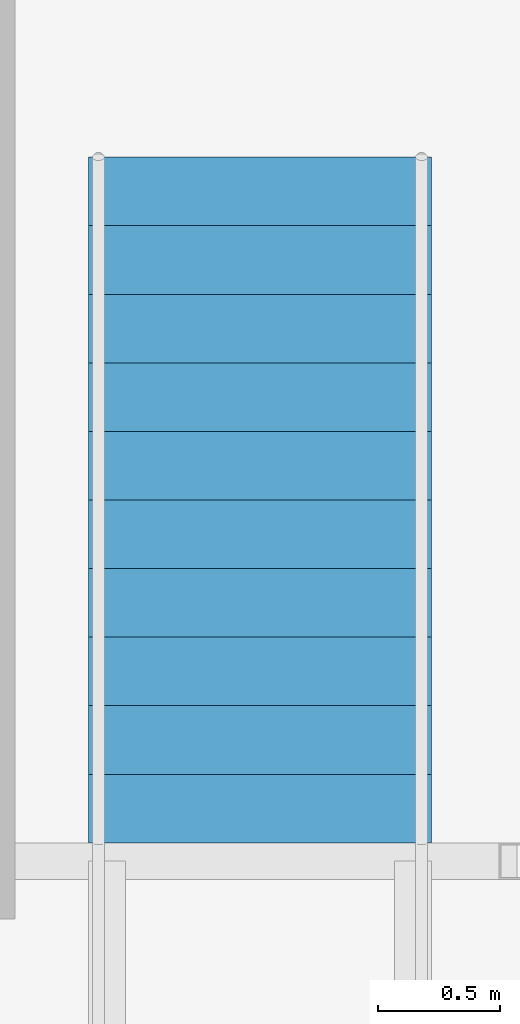
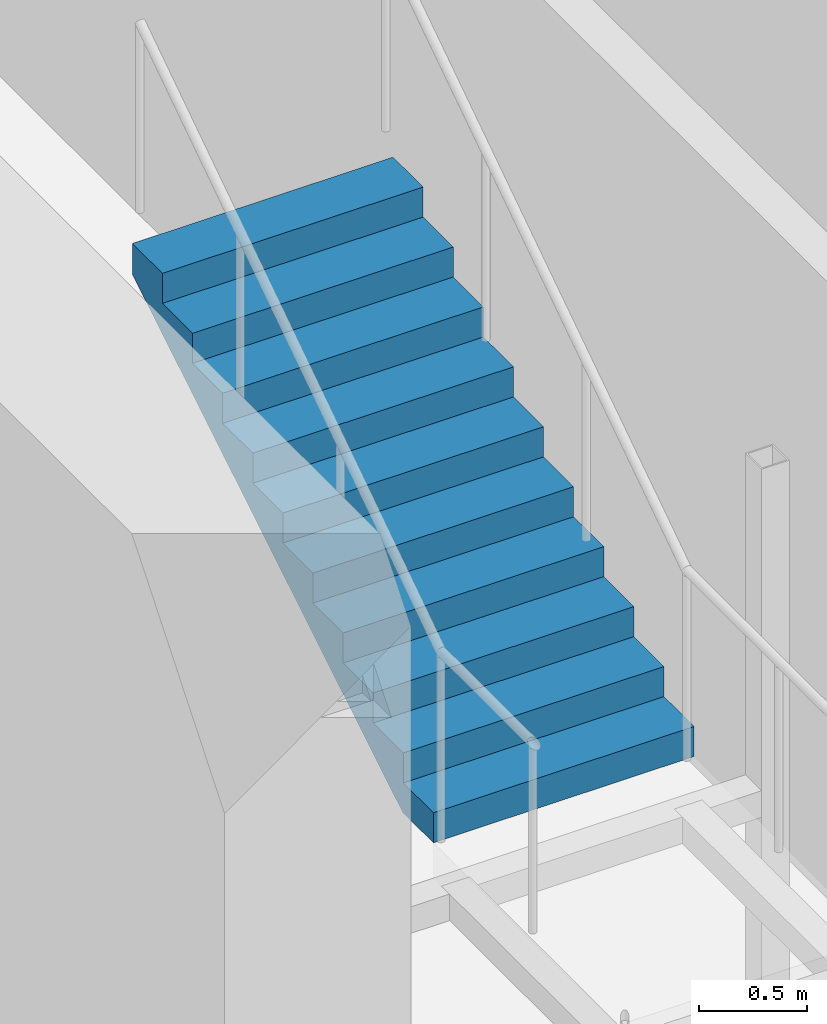
# One storey, part 25 of 28: 1 stair flight, 1 element without a shape of its own.
"""IFC4 building model written with IfcOpenShell, lengths in metres."""

from ifc_helpers import new_model, si_unit, direction, frame, origin, place, context, subcontext, project, spatial, triangles, material, type_object, element, aggregate, save


model = new_model("IFC4")

# Units and contexts
model_context = context("Model", 3, precision=1e-05, world=origin(), true_north=direction((0.0, 1.0)))
body_context = subcontext(model_context, "Body", "Model", "MODEL_VIEW")
ifc_project = project(units=[si_unit("LENGTHUNIT", "METRE"), si_unit("AREAUNIT", "SQUARE_METRE"), si_unit("VOLUMEUNIT", "CUBIC_METRE"), si_unit("PLANEANGLEUNIT", "RADIAN"), si_unit("MASSUNIT", "GRAM", prefix="KILO")], contexts=[model_context])

# Site, building, storey
site_placement = place(None, origin())
site = spatial("IfcSite", under=ifc_project, at=site_placement, CompositionType="ELEMENT")
building_placement = place(site_placement, origin())
building = spatial("IfcBuilding", under=site, at=building_placement, Name="Orbita Commons", CompositionType="ELEMENT")
storey_placement = place(building_placement, frame((0.0, 0.0, 193.60009765625)))
storey = spatial("IfcBuildingStorey", under=building, at=storey_placement, Name="L48", CompositionType="ELEMENT", Elevation=193.60009765625)

# Stair, stair flight
ifc_material_1 = material(Name="Steel ASTM A992 stringers, precast concrete C40/50 terrazzo treads", Category="concrete")
stair_type = type_object("IfcStairType", Name="Feature stair 22 risers 170 x 280 x 1400", PredefinedType="STRAIGHT_RUN_STAIR", material=ifc_material_1)
stair_placement = place(storey_placement, origin())
stair = element("IfcStair", 1, at=stair_placement, inside=storey, type_object=stair_type, Name="Neighbourhood stair L48 to L49", PredefinedType="STRAIGHT_RUN_STAIR")
ifc_material_2 = material(Name="Steel ASTM A992 stringers, precast concrete C40/50 terrazzo treads", Category="concrete")
stair_flight_type = type_object("IfcStairFlightType", Name="Feature stair flight 11 risers 170 x 1400", PredefinedType="STRAIGHT", material=ifc_material_2)
stair_flight_placement = place(storey_placement, frame((13.5, 36.010009765625, 1.875), z_axis=(0.0, 0.0, 1.0), x_axis=(0.0, 1.0, 0.0)))
stair_flight = element("IfcStairFlight", 2, at=stair_flight_placement, type_object=stair_flight_type, Name="FS flight 2", NumberOfRisers=11, NumberOfTreads=10, PredefinedType="STRAIGHT", RiserHeight=0.170454545, TreadLength=0.28, context=body_context, shape_type="Tessellation", body=[
    triangles([(0.0, 0.699951, 0.0), (0.0, 0.699951, 0.021307), (0.0, 0.583293, 0.021307), (0.0, 0.583293, 0.0), (0.0, 0.466634, 0.021307), (0.0, 0.466634, 0.0), (0.0, 0.349976, 0.021307), (0.0, 0.349976, 0.0), (0.0, 0.233317, 0.021307), (0.0, 0.233317, 0.0), (0.0, 0.116659, 0.021307), (0.0, 0.116659, 0.0), (0.0, 0.0, 0.021307), (0.0, 0.0, 0.0), (0.0, -0.116659, 0.021307), (0.0, -0.116659, 0.0), (0.0, -0.233317, 0.021307), (0.0, -0.233317, 0.0), (0.0, -0.349976, 0.021307), (0.0, -0.349976, 0.0), (0.0, -0.466634, 0.021307), (0.0, -0.466634, 0.0), (0.0, -0.583293, 0.021307), (0.0, -0.583293, 0.0), (0.0, -0.699951, 0.021307), (0.0, -0.699951, 0.0), (0.0, 0.699951, 0.042614), (0.0, 0.583293, 0.042614), (0.0, 0.466634, 0.042614), (0.0, 0.349976, 0.042614), (0.0, 0.233317, 0.042614), (0.0, 0.116659, 0.042614), (0.0, 0.0, 0.042614), (0.0, -0.116659, 0.042614), (0.0, -0.233317, 0.042614), (0.0, -0.349976, 0.042614), (0.0, -0.466634, 0.042614), (0.0, -0.583293, 0.042614), (0.0, -0.699951, 0.042614), (0.0, 0.699951, 0.06392), (0.0, 0.583293, 0.06392), (0.0, 0.466634, 0.06392), (0.0, 0.349976, 0.06392), (0.0, 0.233317, 0.06392), (0.0, 0.116659, 0.06392), (0.0, 0.0, 0.06392), (0.0, -0.116659, 0.06392), (0.0, -0.233317, 0.06392), (0.0, -0.349976, 0.06392), (0.0, -0.466634, 0.06392), (0.0, -0.583293, 0.06392), (0.0, -0.699951, 0.06392), (0.0, 0.699951, 0.085227), (0.0, 0.583293, 0.085227), (0.0, 0.466634, 0.085227), (0.0, 0.349976, 0.085227), (0.0, 0.233317, 0.085227), (0.0, 0.116659, 0.085227), (0.0, 0.0, 0.085227), (0.0, -0.116659, 0.085227), (0.0, -0.233317, 0.085227), (0.0, -0.349976, 0.085227), (0.0, -0.466634, 0.085227), (0.0, -0.583293, 0.085227), (0.0, -0.699951, 0.085227), (0.0, 0.699951, 0.106534), (0.0, 0.583293, 0.106534), (0.0, 0.466634, 0.106534), (0.0, 0.349976, 0.106534), (0.0, 0.233317, 0.106534), (0.0, 0.116659, 0.106534), (0.0, 0.0, 0.106534), (0.0, -0.116659, 0.106534), (0.0, -0.233317, 0.106534), (0.0, -0.349976, 0.106534), (0.0, -0.466634, 0.106534), (0.0, -0.583293, 0.106534), (0.0, -0.699951, 0.106534), (0.0, 0.699951, 0.127841), (0.0, 0.583293, 0.127841), (0.0, 0.466634, 0.127841), (0.0, 0.349976, 0.127841), (0.0, 0.233317, 0.127841), (0.0, 0.116659, 0.127841), (0.0, 0.0, 0.127841), (0.0, -0.116659, 0.127841), (0.0, -0.233317, 0.127841), (0.0, -0.349976, 0.127841), (0.0, -0.466634, 0.127841), (0.0, -0.583293, 0.127841), (0.0, -0.699951, 0.127841), (0.0, 0.699951, 0.149148), (0.0, 0.583293, 0.149148), (0.0, 0.466634, 0.149148), (0.0, 0.349976, 0.149148), (0.0, 0.233317, 0.149148), (0.0, 0.116659, 0.149148), (0.0, 0.0, 0.149148), (0.0, -0.116659, 0.149148), (0.0, -0.233317, 0.149148), (0.0, -0.349976, 0.149148), (0.0, -0.466634, 0.149148), (0.0, -0.583293, 0.149148), (0.0, -0.699951, 0.149148), (0.0, 0.699951, 0.170455), (0.0, 0.583293, 0.170455), (0.0, 0.466634, 0.170455), (0.0, 0.349976, 0.170455), (0.0, 0.233317, 0.170455), (0.0, 0.116659, 0.170455), (0.0, 0.0, 0.170455), (0.0, -0.116659, 0.170455), (0.0, -0.233317, 0.170455), (0.0, -0.349976, 0.170455), (0.0, -0.466634, 0.170455), (0.0, -0.583293, 0.170455), (0.0, -0.699951, 0.170455), (0.28, 0.699951, 0.170455), (0.28, 0.583293, 0.170455), (0.28, 0.466634, 0.170455), (0.28, 0.349976, 0.170455), (0.28, 0.233317, 0.170455), (0.28, 0.116659, 0.170455), (0.28, 0.0, 0.170455), (0.28, -0.116659, 0.170455), (0.28, -0.233317, 0.170455), (0.28, -0.349976, 0.170455), (0.28, -0.466634, 0.170455), (0.28, -0.583293, 0.170455), (0.28, -0.699951, 0.170455), (0.28, 0.699951, 0.340909), (0.28, 0.583293, 0.340909), (0.28, 0.466634, 0.340909), (0.28, 0.349976, 0.340909), (0.28, 0.233317, 0.340909), (0.28, 0.116659, 0.340909), (0.28, 0.0, 0.340909), (0.28, -0.116659, 0.340909), (0.28, -0.233317, 0.340909), (0.28, -0.349976, 0.340909), (0.28, -0.466634, 0.340909), (0.28, -0.583293, 0.340909), (0.28, -0.699951, 0.340909), (0.56, 0.699951, 0.340909), (0.56, 0.583293, 0.340909), (0.56, 0.466634, 0.340909), (0.56, 0.349976, 0.340909), (0.56, 0.233317, 0.340909), (0.56, 0.116659, 0.340909), (0.56, 0.0, 0.340909), (0.56, -0.116659, 0.340909), (0.56, -0.233317, 0.340909), (0.56, -0.349976, 0.340909), (0.56, -0.466634, 0.340909), (0.56, -0.583293, 0.340909), (0.56, -0.699951, 0.340909), (0.56, 0.699951, 0.511364), (0.56, 0.583293, 0.511364), (0.56, 0.466634, 0.511364), (0.56, 0.349976, 0.511364), (0.56, 0.233317, 0.511364), (0.56, 0.116659, 0.511364), (0.56, 0.0, 0.511364), (0.56, -0.116659, 0.511364), (0.56, -0.233317, 0.511364), (0.56, -0.349976, 0.511364), (0.56, -0.466634, 0.511364), (0.56, -0.583293, 0.511364), (0.56, -0.699951, 0.511364), (0.84, 0.699951, 0.511364), (0.84, 0.583293, 0.511364), (0.84, 0.466634, 0.511364), (0.84, 0.349976, 0.511364), (0.84, 0.233317, 0.511364), (0.84, 0.116659, 0.511364), (0.84, 0.0, 0.511364), (0.84, -0.116659, 0.511364), (0.84, -0.233317, 0.511364), (0.84, -0.349976, 0.511364), (0.84, -0.466634, 0.511364), (0.84, -0.583293, 0.511364), (0.84, -0.699951, 0.511364), (0.84, 0.699951, 0.681818), (0.84, 0.583293, 0.681818), (0.84, 0.466634, 0.681818), (0.84, 0.349976, 0.681818), (0.84, 0.233317, 0.681818), (0.84, 0.116659, 0.681818), (0.84, 0.0, 0.681818), (0.84, -0.116659, 0.681818), (0.84, -0.233317, 0.681818), (0.84, -0.349976, 0.681818), (0.84, -0.466634, 0.681818), (0.84, -0.583293, 0.681818), (0.84, -0.699951, 0.681818), (1.12, 0.699951, 0.681818), (1.12, 0.583293, 0.681818), (1.12, 0.466634, 0.681818), (1.12, 0.349976, 0.681818), (1.12, 0.233317, 0.681818), (1.12, 0.116659, 0.681818), (1.12, 0.0, 0.681818), (1.12, -0.116659, 0.681818), (1.12, -0.233317, 0.681818), (1.12, -0.349976, 0.681818), (1.12, -0.466634, 0.681818), (1.12, -0.583293, 0.681818), (1.12, -0.699951, 0.681818), (1.12, 0.699951, 0.852273), (1.12, 0.583293, 0.852273), (1.12, 0.466634, 0.852273), (1.12, 0.349976, 0.852273), (1.12, 0.233317, 0.852273), (1.12, 0.116659, 0.852273), (1.12, 0.0, 0.852273), (1.12, -0.116659, 0.852273), (1.12, -0.233317, 0.852273), (1.12, -0.349976, 0.852273), (1.12, -0.466634, 0.852273), (1.12, -0.583293, 0.852273), (1.12, -0.699951, 0.852273), (1.4, 0.699951, 0.852273), (1.4, 0.583293, 0.852273), (1.4, 0.466634, 0.852273), (1.4, 0.349976, 0.852273), (1.4, 0.233317, 0.852273), (1.4, 0.116659, 0.852273), (1.4, 0.0, 0.852273), (1.4, -0.116659, 0.852273), (1.4, -0.233317, 0.852273), (1.4, -0.349976, 0.852273), (1.4, -0.466634, 0.852273), (1.4, -0.583293, 0.852273), (1.4, -0.699951, 0.852273), (1.4, 0.699951, 1.022727), (1.4, 0.583293, 1.022727), (1.4, 0.466634, 1.022727), (1.4, 0.349976, 1.022727), (1.4, 0.233317, 1.022727), (1.4, 0.116659, 1.022727), (1.4, 0.0, 1.022727), (1.4, -0.116659, 1.022727), (1.4, -0.233317, 1.022727), (1.4, -0.349976, 1.022727), (1.4, -0.466634, 1.022727), (1.4, -0.583293, 1.022727), (1.4, -0.699951, 1.022727), (1.68, 0.699951, 1.022727), (1.68, 0.583293, 1.022727), (1.68, 0.466634, 1.022727), (1.68, 0.349976, 1.022727), (1.68, 0.233317, 1.022727), (1.68, 0.116659, 1.022727), (1.68, 0.0, 1.022727), (1.68, -0.116659, 1.022727), (1.68, -0.233317, 1.022727), (1.68, -0.349976, 1.022727), (1.68, -0.466634, 1.022727), (1.68, -0.583293, 1.022727), (1.68, -0.699951, 1.022727), (1.68, 0.699951, 1.193182), (1.68, 0.583293, 1.193182), (1.68, 0.466634, 1.193182), (1.68, 0.349976, 1.193182), (1.68, 0.233317, 1.193182), (1.68, 0.116659, 1.193182), (1.68, 0.0, 1.193182), (1.68, -0.116659, 1.193182), (1.68, -0.233317, 1.193182), (1.68, -0.349976, 1.193182), (1.68, -0.466634, 1.193182), (1.68, -0.583293, 1.193182), (1.68, -0.699951, 1.193182), (1.96, 0.699951, 1.193182), (1.96, 0.583293, 1.193182), (1.96, 0.466634, 1.193182), (1.96, 0.349976, 1.193182), (1.96, 0.233317, 1.193182), (1.96, 0.116659, 1.193182), (1.96, 0.0, 1.193182), (1.96, -0.116659, 1.193182), (1.96, -0.233317, 1.193182), (1.96, -0.349976, 1.193182), (1.96, -0.466634, 1.193182), (1.96, -0.583293, 1.193182), (1.96, -0.699951, 1.193182), (1.96, 0.699951, 1.363636), (1.96, 0.583293, 1.363636), (1.96, 0.466634, 1.363636), (1.96, 0.349976, 1.363636), (1.96, 0.233317, 1.363636), (1.96, 0.116659, 1.363636), (1.96, 0.0, 1.363636), (1.96, -0.116659, 1.363636), (1.96, -0.233317, 1.363636), (1.96, -0.349976, 1.363636), (1.96, -0.466634, 1.363636), (1.96, -0.583293, 1.363636), (1.96, -0.699951, 1.363636), (2.24, 0.699951, 1.363636), (2.24, 0.583293, 1.363636), (2.24, 0.466634, 1.363636), (2.24, 0.349976, 1.363636), (2.24, 0.233317, 1.363636), (2.24, 0.116659, 1.363636), (2.24, 0.0, 1.363636), (2.24, -0.116659, 1.363636), (2.24, -0.233317, 1.363636), (2.24, -0.349976, 1.363636), (2.24, -0.466634, 1.363636), (2.24, -0.583293, 1.363636), (2.24, -0.699951, 1.363636), (2.24, 0.699951, 1.534091), (2.24, 0.583293, 1.534091), (2.24, 0.466634, 1.534091), (2.24, 0.349976, 1.534091), (2.24, 0.233317, 1.534091), (2.24, 0.116659, 1.534091), (2.24, 0.0, 1.534091), (2.24, -0.116659, 1.534091), (2.24, -0.233317, 1.534091), (2.24, -0.349976, 1.534091), (2.24, -0.466634, 1.534091), (2.24, -0.583293, 1.534091), (2.24, -0.699951, 1.534091), (2.52, 0.699951, 1.534091), (2.52, 0.583293, 1.534091), (2.52, 0.466634, 1.534091), (2.52, 0.349976, 1.534091), (2.52, 0.233317, 1.534091), (2.52, 0.116659, 1.534091), (2.52, 0.0, 1.534091), (2.52, -0.116659, 1.534091), (2.52, -0.233317, 1.534091), (2.52, -0.349976, 1.534091), (2.52, -0.466634, 1.534091), (2.52, -0.583293, 1.534091), (2.52, -0.699951, 1.534091), (2.52, 0.699951, 1.704545), (2.52, 0.583293, 1.704545), (2.52, 0.466634, 1.704545), (2.52, 0.349976, 1.704545), (2.52, 0.233317, 1.704545), (2.52, 0.116659, 1.704545), (2.52, 0.0, 1.704545), (2.52, -0.116659, 1.704545), (2.52, -0.233317, 1.704545), (2.52, -0.349976, 1.704545), (2.52, -0.466634, 1.704545), (2.52, -0.583293, 1.704545), (2.52, -0.699951, 1.704545), (2.8, 0.699951, 1.704545), (2.8, 0.583293, 1.704545), (2.8, 0.466634, 1.704545), (2.8, 0.349976, 1.704545), (2.8, 0.233317, 1.704545), (2.8, 0.116659, 1.704545), (2.8, 0.0, 1.704545), (2.8, -0.116659, 1.704545), (2.8, -0.233317, 1.704545), (2.8, -0.349976, 1.704545), (2.8, -0.466634, 1.704545), (2.8, -0.583293, 1.704545), (2.8, -0.699951, 1.704545), (2.8, 0.699951, 1.682609), (2.8, 0.583293, 1.682609), (2.8, 0.466634, 1.682609), (2.8, 0.349976, 1.682609), (2.8, 0.233317, 1.682609), (2.8, 0.116659, 1.682609), (2.8, 0.0, 1.682609), (2.8, -0.116659, 1.682609), (2.8, -0.233317, 1.682609), (2.8, -0.349976, 1.682609), (2.8, -0.466634, 1.682609), (2.8, -0.583293, 1.682609), (2.8, -0.699951, 1.682609), (2.8, 0.699951, 1.660672), (2.8, 0.583293, 1.660672), (2.8, 0.466634, 1.660672), (2.8, 0.349976, 1.660672), (2.8, 0.233317, 1.660672), (2.8, 0.116659, 1.660672), (2.8, 0.0, 1.660672), (2.8, -0.116659, 1.660672), (2.8, -0.233317, 1.660672), (2.8, -0.349976, 1.660672), (2.8, -0.466634, 1.660672), (2.8, -0.583293, 1.660672), (2.8, -0.699951, 1.660672), (2.8, 0.699951, 1.638735), (2.8, 0.583293, 1.638735), (2.8, 0.466634, 1.638735), (2.8, 0.349976, 1.638735), (2.8, 0.233317, 1.638735), (2.8, 0.116659, 1.638735), (2.8, 0.0, 1.638735), (2.8, -0.116659, 1.638735), (2.8, -0.233317, 1.638735), (2.8, -0.349976, 1.638735), (2.8, -0.466634, 1.638735), (2.8, -0.583293, 1.638735), (2.8, -0.699951, 1.638735), (2.8, 0.699951, 1.616798), (2.8, 0.583293, 1.616798), (2.8, 0.466634, 1.616798), (2.8, 0.349976, 1.616798), (2.8, 0.233317, 1.616798), (2.8, 0.116659, 1.616798), (2.8, 0.0, 1.616798), (2.8, -0.116659, 1.616798), (2.8, -0.233317, 1.616798), (2.8, -0.349976, 1.616798), (2.8, -0.466634, 1.616798), (2.8, -0.583293, 1.616798), (2.8, -0.699951, 1.616798), (2.8, 0.699951, 1.594861), (2.8, 0.583293, 1.594861), (2.8, 0.466634, 1.594861), (2.8, 0.349976, 1.594861), (2.8, 0.233317, 1.594861), (2.8, 0.116659, 1.594861), (2.8, 0.0, 1.594861), (2.8, -0.116659, 1.594861), (2.8, -0.233317, 1.594861), (2.8, -0.349976, 1.594861), (2.8, -0.466634, 1.594861), (2.8, -0.583293, 1.594861), (2.8, -0.699951, 1.594861), (2.8, 0.699951, 1.572925), (2.8, 0.583293, 1.572925), (2.8, 0.466634, 1.572925), (2.8, 0.349976, 1.572925), (2.8, 0.233317, 1.572925), (2.8, 0.116659, 1.572925), (2.8, 0.0, 1.572925), (2.8, -0.116659, 1.572925), (2.8, -0.233317, 1.572925), (2.8, -0.349976, 1.572925), (2.8, -0.466634, 1.572925), (2.8, -0.583293, 1.572925), (2.8, -0.699951, 1.572925), (2.8, 0.699951, 1.550988), (2.8, 0.583293, 1.550988), (2.8, 0.466634, 1.550988), (2.8, 0.349976, 1.550988), (2.8, 0.233317, 1.550988), (2.8, 0.116659, 1.550988), (2.8, 0.0, 1.550988), (2.8, -0.116659, 1.550988), (2.8, -0.233317, 1.550988), (2.8, -0.349976, 1.550988), (2.8, -0.466634, 1.550988), (2.8, -0.583293, 1.550988), (2.8, -0.699951, 1.550988), (2.8, 0.699951, 1.529051), (2.8, 0.583293, 1.529051), (2.8, 0.466634, 1.529051), (2.8, 0.349976, 1.529051), (2.8, 0.233317, 1.529051), (2.8, 0.116659, 1.529051), (2.8, 0.0, 1.529051), (2.8, -0.116659, 1.529051), (2.8, -0.233317, 1.529051), (2.8, -0.349976, 1.529051), (2.8, -0.466634, 1.529051), (2.8, -0.583293, 1.529051), (2.8, -0.699951, 1.529051), (0.288279, 0.699951, 0.0), (0.288279, 0.583293, 0.0), (0.288279, 0.466634, 0.0), (0.288279, 0.349976, 0.0), (0.288279, 0.233317, 0.0), (0.288279, 0.116659, 0.0), (0.288279, 0.0, 0.0), (0.288279, -0.116659, 0.0), (0.288279, -0.233317, 0.0), (0.288279, -0.349976, 0.0), (0.288279, -0.466634, 0.0), (0.288279, -0.583293, 0.0), (0.288279, -0.699951, 0.0)], [[3, 2, 1], [4, 3, 1], [5, 3, 4], [6, 5, 4], [7, 5, 6], [8, 7, 6], [9, 7, 8], [10, 9, 8], [11, 9, 10], [12, 11, 10], [13, 11, 12], [14, 13, 12], [15, 13, 14], [16, 15, 14], [17, 15, 16], [18, 17, 16], [19, 17, 18], [20, 19, 18], [21, 19, 20], [22, 21, 20], [23, 21, 22], [24, 23, 22], [25, 23, 24], [26, 25, 24], [28, 27, 2], [3, 28, 2], [29, 28, 3], [5, 29, 3], [30, 29, 5], [7, 30, 5], [31, 30, 7], [9, 31, 7], [32, 31, 9], [11, 32, 9], [33, 32, 11], [13, 33, 11], [34, 33, 13], [15, 34, 13], [35, 34, 15], [17, 35, 15], [36, 35, 17], [19, 36, 17], [37, 36, 19], [21, 37, 19], [38, 37, 21], [23, 38, 21], [39, 38, 23], [25, 39, 23], [41, 40, 27], [28, 41, 27], [42, 41, 28], [29, 42, 28], [43, 42, 29], [30, 43, 29], [44, 43, 30], [31, 44, 30], [45, 44, 31], [32, 45, 31], [46, 45, 32], [33, 46, 32], [47, 46, 33], [34, 47, 33], [48, 47, 34], [35, 48, 34], [49, 48, 35], [36, 49, 35], [50, 49, 36], [37, 50, 36], [51, 50, 37], [38, 51, 37], [52, 51, 38], [39, 52, 38], [54, 53, 40], [41, 54, 40], [55, 54, 41], [42, 55, 41], [56, 55, 42], [43, 56, 42], [57, 56, 43], [44, 57, 43], [58, 57, 44], [45, 58, 44], [59, 58, 45], [46, 59, 45], [60, 59, 46], [47, 60, 46], [61, 60, 47], [48, 61, 47], [62, 61, 48], [49, 62, 48], [63, 62, 49], [50, 63, 49], [64, 63, 50], [51, 64, 50], [65, 64, 51], [52, 65, 51], [67, 66, 53], [54, 67, 53], [68, 67, 54], [55, 68, 54], [69, 68, 55], [56, 69, 55], [70, 69, 56], [57, 70, 56], [71, 70, 57], [58, 71, 57], [72, 71, 58], [59, 72, 58], [73, 72, 59], [60, 73, 59], [74, 73, 60], [61, 74, 60], [75, 74, 61], [62, 75, 61], [76, 75, 62], [63, 76, 62], [77, 76, 63], [64, 77, 63], [78, 77, 64], [65, 78, 64], [80, 79, 66], [67, 80, 66], [81, 80, 67], [68, 81, 67], [82, 81, 68], [69, 82, 68], [83, 82, 69], [70, 83, 69], [84, 83, 70], [71, 84, 70], [85, 84, 71], [72, 85, 71], [86, 85, 72], [73, 86, 72], [87, 86, 73], [74, 87, 73], [88, 87, 74], [75, 88, 74], [89, 88, 75], [76, 89, 75], [90, 89, 76], [77, 90, 76], [91, 90, 77], [78, 91, 77], [93, 92, 79], [80, 93, 79], [94, 93, 80], [81, 94, 80], [95, 94, 81], [82, 95, 81], [96, 95, 82], [83, 96, 82], [97, 96, 83], [84, 97, 83], [98, 97, 84], [85, 98, 84], [99, 98, 85], [86, 99, 85], [100, 99, 86], [87, 100, 86], [101, 100, 87], [88, 101, 87], [102, 101, 88], [89, 102, 88], [103, 102, 89], [90, 103, 89], [104, 103, 90], [91, 104, 90], [106, 105, 92], [93, 106, 92], [107, 106, 93], [94, 107, 93], [108, 107, 94], [95, 108, 94], [109, 108, 95], [96, 109, 95], [110, 109, 96], [97, 110, 96], [111, 110, 97], [98, 111, 97], [112, 111, 98], [99, 112, 98], [113, 112, 99], [100, 113, 99], [114, 113, 100], [101, 114, 100], [115, 114, 101], [102, 115, 101], [116, 115, 102], [103, 116, 102], [117, 116, 103], [104, 117, 103], [119, 118, 105], [106, 119, 105], [120, 119, 106], [107, 120, 106], [121, 120, 107], [108, 121, 107], [122, 121, 108], [109, 122, 108], [123, 122, 109], [110, 123, 109], [124, 123, 110], [111, 124, 110], [125, 124, 111], [112, 125, 111], [126, 125, 112], [113, 126, 112], [127, 126, 113], [114, 127, 113], [128, 127, 114], [115, 128, 114], [129, 128, 115], [116, 129, 115], [130, 129, 116], [117, 130, 116], [132, 131, 118], [119, 132, 118], [133, 132, 119], [120, 133, 119], [134, 133, 120], [121, 134, 120], [135, 134, 121], [122, 135, 121], [136, 135, 122], [123, 136, 122], [137, 136, 123], [124, 137, 123], [138, 137, 124], [125, 138, 124], [139, 138, 125], [126, 139, 125], [140, 139, 126], [127, 140, 126], [141, 140, 127], [128, 141, 127], [142, 141, 128], [129, 142, 128], [143, 142, 129], [130, 143, 129], [145, 144, 131], [132, 145, 131], [146, 145, 132], [133, 146, 132], [147, 146, 133], [134, 147, 133], [148, 147, 134], [135, 148, 134], [149, 148, 135], [136, 149, 135], [150, 149, 136], [137, 150, 136], [151, 150, 137], [138, 151, 137], [152, 151, 138], [139, 152, 138], [153, 152, 139], [140, 153, 139], [154, 153, 140], [141, 154, 140], [155, 154, 141], [142, 155, 141], [156, 155, 142], [143, 156, 142], [158, 157, 144], [145, 158, 144], [159, 158, 145], [146, 159, 145], [160, 159, 146], [147, 160, 146], [161, 160, 147], [148, 161, 147], [162, 161, 148], [149, 162, 148], [163, 162, 149], [150, 163, 149], [164, 163, 150], [151, 164, 150], [165, 164, 151], [152, 165, 151], [166, 165, 152], [153, 166, 152], [167, 166, 153], [154, 167, 153], [168, 167, 154], [155, 168, 154], [169, 168, 155], [156, 169, 155], [171, 170, 157], [158, 171, 157], [172, 171, 158], [159, 172, 158], [173, 172, 159], [160, 173, 159], [174, 173, 160], [161, 174, 160], [175, 174, 161], [162, 175, 161], [176, 175, 162], [163, 176, 162], [177, 176, 163], [164, 177, 163], [178, 177, 164], [165, 178, 164], [179, 178, 165], [166, 179, 165], [180, 179, 166], [167, 180, 166], [181, 180, 167], [168, 181, 167], [182, 181, 168], [169, 182, 168], [184, 183, 170], [171, 184, 170], [185, 184, 171], [172, 185, 171], [186, 185, 172], [173, 186, 172], [187, 186, 173], [174, 187, 173], [188, 187, 174], [175, 188, 174], [189, 188, 175], [176, 189, 175], [190, 189, 176], [177, 190, 176], [191, 190, 177], [178, 191, 177], [192, 191, 178], [179, 192, 178], [193, 192, 179], [180, 193, 179], [194, 193, 180], [181, 194, 180], [195, 194, 181], [182, 195, 181], [197, 196, 183], [184, 197, 183], [198, 197, 184], [185, 198, 184], [199, 198, 185], [186, 199, 185], [200, 199, 186], [187, 200, 186], [201, 200, 187], [188, 201, 187], [202, 201, 188], [189, 202, 188], [203, 202, 189], [190, 203, 189], [204, 203, 190], [191, 204, 190], [205, 204, 191], [192, 205, 191], [206, 205, 192], [193, 206, 192], [207, 206, 193], [194, 207, 193], [208, 207, 194], [195, 208, 194], [210, 209, 196], [197, 210, 196], [211, 210, 197], [198, 211, 197], [212, 211, 198], [199, 212, 198], [213, 212, 199], [200, 213, 199], [214, 213, 200], [201, 214, 200], [215, 214, 201], [202, 215, 201], [216, 215, 202], [203, 216, 202], [217, 216, 203], [204, 217, 203], [218, 217, 204], [205, 218, 204], [219, 218, 205], [206, 219, 205], [220, 219, 206], [207, 220, 206], [221, 220, 207], [208, 221, 207], [223, 222, 209], [210, 223, 209], [224, 223, 210], [211, 224, 210], [225, 224, 211], [212, 225, 211], [226, 225, 212], [213, 226, 212], [227, 226, 213], [214, 227, 213], [228, 227, 214], [215, 228, 214], [229, 228, 215], [216, 229, 215], [230, 229, 216], [217, 230, 216], [231, 230, 217], [218, 231, 217], [232, 231, 218], [219, 232, 218], [233, 232, 219], [220, 233, 219], [234, 233, 220], [221, 234, 220], [236, 235, 222], [223, 236, 222], [237, 236, 223], [224, 237, 223], [238, 237, 224], [225, 238, 224], [239, 238, 225], [226, 239, 225], [240, 239, 226], [227, 240, 226], [241, 240, 227], [228, 241, 227], [242, 241, 228], [229, 242, 228], [243, 242, 229], [230, 243, 229], [244, 243, 230], [231, 244, 230], [245, 244, 231], [232, 245, 231], [246, 245, 232], [233, 246, 232], [247, 246, 233], [234, 247, 233], [249, 248, 235], [236, 249, 235], [250, 249, 236], [237, 250, 236], [251, 250, 237], [238, 251, 237], [252, 251, 238], [239, 252, 238], [253, 252, 239], [240, 253, 239], [254, 253, 240], [241, 254, 240], [255, 254, 241], [242, 255, 241], [256, 255, 242], [243, 256, 242], [257, 256, 243], [244, 257, 243], [258, 257, 244], [245, 258, 244], [259, 258, 245], [246, 259, 245], [260, 259, 246], [247, 260, 246], [262, 261, 248], [249, 262, 248], [263, 262, 249], [250, 263, 249], [264, 263, 250], [251, 264, 250], [265, 264, 251], [252, 265, 251], [266, 265, 252], [253, 266, 252], [267, 266, 253], [254, 267, 253], [268, 267, 254], [255, 268, 254], [269, 268, 255], [256, 269, 255], [270, 269, 256], [257, 270, 256], [271, 270, 257], [258, 271, 257], [272, 271, 258], [259, 272, 258], [273, 272, 259], [260, 273, 259], [275, 274, 261], [262, 275, 261], [276, 275, 262], [263, 276, 262], [277, 276, 263], [264, 277, 263], [278, 277, 264], [265, 278, 264], [279, 278, 265], [266, 279, 265], [280, 279, 266], [267, 280, 266], [281, 280, 267], [268, 281, 267], [282, 281, 268], [269, 282, 268], [283, 282, 269], [270, 283, 269], [284, 283, 270], [271, 284, 270], [285, 284, 271], [272, 285, 271], [286, 285, 272], [273, 286, 272], [288, 287, 274], [275, 288, 274], [289, 288, 275], [276, 289, 275], [290, 289, 276], [277, 290, 276], [291, 290, 277], [278, 291, 277], [292, 291, 278], [279, 292, 278], [293, 292, 279], [280, 293, 279], [294, 293, 280], [281, 294, 280], [295, 294, 281], [282, 295, 281], [296, 295, 282], [283, 296, 282], [297, 296, 283], [284, 297, 283], [298, 297, 284], [285, 298, 284], [299, 298, 285], [286, 299, 285], [301, 300, 287], [288, 301, 287], [302, 301, 288], [289, 302, 288], [303, 302, 289], [290, 303, 289], [304, 303, 290], [291, 304, 290], [305, 304, 291], [292, 305, 291], [306, 305, 292], [293, 306, 292], [307, 306, 293], [294, 307, 293], [308, 307, 294], [295, 308, 294], [309, 308, 295], [296, 309, 295], [310, 309, 296], [297, 310, 296], [311, 310, 297], [298, 311, 297], [312, 311, 298], [299, 312, 298], [314, 313, 300], [301, 314, 300], [315, 314, 301], [302, 315, 301], [316, 315, 302], [303, 316, 302], [317, 316, 303], [304, 317, 303], [318, 317, 304], [305, 318, 304], [319, 318, 305], [306, 319, 305], [320, 319, 306], [307, 320, 306], [321, 320, 307], [308, 321, 307], [322, 321, 308], [309, 322, 308], [323, 322, 309], [310, 323, 309], [324, 323, 310], [311, 324, 310], [325, 324, 311], [312, 325, 311], [327, 326, 313], [314, 327, 313], [328, 327, 314], [315, 328, 314], [329, 328, 315], [316, 329, 315], [330, 329, 316], [317, 330, 316], [331, 330, 317], [318, 331, 317], [332, 331, 318], [319, 332, 318], [333, 332, 319], [320, 333, 319], [334, 333, 320], [321, 334, 320], [335, 334, 321], [322, 335, 321], [336, 335, 322], [323, 336, 322], [337, 336, 323], [324, 337, 323], [338, 337, 324], [325, 338, 324], [340, 339, 326], [327, 340, 326], [341, 340, 327], [328, 341, 327], [342, 341, 328], [329, 342, 328], [343, 342, 329], [330, 343, 329], [344, 343, 330], [331, 344, 330], [345, 344, 331], [332, 345, 331], [346, 345, 332], [333, 346, 332], [347, 346, 333], [334, 347, 333], [348, 347, 334], [335, 348, 334], [349, 348, 335], [336, 349, 335], [350, 349, 336], [337, 350, 336], [351, 350, 337], [338, 351, 337], [353, 352, 339], [340, 353, 339], [354, 353, 340], [341, 354, 340], [355, 354, 341], [342, 355, 341], [356, 355, 342], [343, 356, 342], [357, 356, 343], [344, 357, 343], [358, 357, 344], [345, 358, 344], [359, 358, 345], [346, 359, 345], [360, 359, 346], [347, 360, 346], [361, 360, 347], [348, 361, 347], [362, 361, 348], [349, 362, 348], [363, 362, 349], [350, 363, 349], [364, 363, 350], [351, 364, 350], [366, 365, 352], [353, 366, 352], [367, 366, 353], [354, 367, 353], [368, 367, 354], [355, 368, 354], [369, 368, 355], [356, 369, 355], [370, 369, 356], [357, 370, 356], [371, 370, 357], [358, 371, 357], [372, 371, 358], [359, 372, 358], [373, 372, 359], [360, 373, 359], [374, 373, 360], [361, 374, 360], [375, 374, 361], [362, 375, 361], [376, 375, 362], [363, 376, 362], [377, 376, 363], [364, 377, 363], [379, 378, 365], [366, 379, 365], [380, 379, 366], [367, 380, 366], [381, 380, 367], [368, 381, 367], [382, 381, 368], [369, 382, 368], [383, 382, 369], [370, 383, 369], [384, 383, 370], [371, 384, 370], [385, 384, 371], [372, 385, 371], [386, 385, 372], [373, 386, 372], [387, 386, 373], [374, 387, 373], [388, 387, 374], [375, 388, 374], [389, 388, 375], [376, 389, 375], [390, 389, 376], [377, 390, 376], [392, 391, 378], [379, 392, 378], [393, 392, 379], [380, 393, 379], [394, 393, 380], [381, 394, 380], [395, 394, 381], [382, 395, 381], [396, 395, 382], [383, 396, 382], [397, 396, 383], [384, 397, 383], [398, 397, 384], [385, 398, 384], [399, 398, 385], [386, 399, 385], [400, 399, 386], [387, 400, 386], [401, 400, 387], [388, 401, 387], [402, 401, 388], [389, 402, 388], [403, 402, 389], [390, 403, 389], [405, 404, 391], [392, 405, 391], [406, 405, 392], [393, 406, 392], [407, 406, 393], [394, 407, 393], [408, 407, 394], [395, 408, 394], [409, 408, 395], [396, 409, 395], [410, 409, 396], [397, 410, 396], [411, 410, 397], [398, 411, 397], [412, 411, 398], [399, 412, 398], [413, 412, 399], [400, 413, 399], [414, 413, 400], [401, 414, 400], [415, 414, 401], [402, 415, 401], [416, 415, 402], [403, 416, 402], [418, 417, 404], [405, 418, 404], [419, 418, 405], [406, 419, 405], [420, 419, 406], [407, 420, 406], [421, 420, 407], [408, 421, 407], [422, 421, 408], [409, 422, 408], [423, 422, 409], [410, 423, 409], [424, 423, 410], [411, 424, 410], [425, 424, 411], [412, 425, 411], [426, 425, 412], [413, 426, 412], [427, 426, 413], [414, 427, 413], [428, 427, 414], [415, 428, 414], [429, 428, 415], [416, 429, 415], [431, 430, 417], [418, 431, 417], [432, 431, 418], [419, 432, 418], [433, 432, 419], [420, 433, 419], [434, 433, 420], [421, 434, 420], [435, 434, 421], [422, 435, 421], [436, 435, 422], [423, 436, 422], [437, 436, 423], [424, 437, 423], [438, 437, 424], [425, 438, 424], [439, 438, 425], [426, 439, 425], [440, 439, 426], [427, 440, 426], [441, 440, 427], [428, 441, 427], [442, 441, 428], [429, 442, 428], [444, 443, 430], [431, 444, 430], [445, 444, 431], [432, 445, 431], [446, 445, 432], [433, 446, 432], [447, 446, 433], [434, 447, 433], [448, 447, 434], [435, 448, 434], [449, 448, 435], [436, 449, 435], [450, 449, 436], [437, 450, 436], [451, 450, 437], [438, 451, 437], [452, 451, 438], [439, 452, 438], [453, 452, 439], [440, 453, 439], [454, 453, 440], [441, 454, 440], [455, 454, 441], [442, 455, 441], [457, 456, 443], [444, 457, 443], [458, 457, 444], [445, 458, 444], [459, 458, 445], [446, 459, 445], [460, 459, 446], [447, 460, 446], [461, 460, 447], [448, 461, 447], [462, 461, 448], [449, 462, 448], [463, 462, 449], [450, 463, 449], [464, 463, 450], [451, 464, 450], [465, 464, 451], [452, 465, 451], [466, 465, 452], [453, 466, 452], [467, 466, 453], [454, 467, 453], [468, 467, 454], [455, 468, 454], [470, 469, 456], [457, 470, 456], [471, 470, 457], [458, 471, 457], [472, 471, 458], [459, 472, 458], [473, 472, 459], [460, 473, 459], [474, 473, 460], [461, 474, 460], [475, 474, 461], [462, 475, 461], [476, 475, 462], [463, 476, 462], [477, 476, 463], [464, 477, 463], [478, 477, 464], [465, 478, 464], [479, 478, 465], [466, 479, 465], [480, 479, 466], [467, 480, 466], [481, 480, 467], [468, 481, 467], [4, 1, 469], [470, 4, 469], [6, 4, 470], [471, 6, 470], [8, 6, 471], [472, 8, 471], [10, 8, 472], [473, 10, 472], [12, 10, 473], [474, 12, 473], [14, 12, 474], [475, 14, 474], [16, 14, 475], [476, 16, 475], [18, 16, 476], [477, 18, 476], [20, 18, 477], [478, 20, 477], [22, 20, 478], [479, 22, 478], [24, 22, 479], [480, 24, 479], [26, 24, 480], [481, 26, 480], [456, 469, 1], [26, 481, 468], [443, 456, 1], [26, 468, 455], [430, 443, 1], [26, 455, 442], [417, 430, 1], [26, 442, 429], [404, 417, 1], [26, 429, 416], [391, 404, 1], [26, 416, 403], [378, 391, 1], [26, 403, 390], [365, 378, 1], [26, 390, 377], [339, 352, 365], [377, 364, 351], [326, 339, 365], [377, 351, 338], [300, 313, 326], [338, 325, 312], [300, 326, 365], [377, 338, 312], [274, 287, 300], [312, 299, 286], [274, 300, 365], [377, 312, 286], [248, 261, 274], [286, 273, 260], [248, 274, 365], [377, 286, 260], [222, 235, 248], [260, 247, 234], [222, 248, 365], [377, 260, 234], [196, 209, 222], [234, 221, 208], [196, 222, 365], [377, 234, 208], [170, 183, 196], [208, 195, 182], [170, 196, 365], [377, 208, 182], [144, 157, 170], [182, 169, 156], [144, 170, 365], [377, 182, 156], [118, 131, 144], [156, 143, 130], [118, 144, 365], [377, 156, 130], [118, 365, 1], [26, 377, 130], [92, 105, 118], [130, 117, 104], [79, 92, 118], [130, 104, 91], [66, 79, 118], [130, 91, 78], [53, 66, 118], [130, 78, 65], [40, 53, 118], [130, 65, 52], [27, 40, 118], [130, 52, 39], [2, 27, 118], [130, 39, 25], [1, 2, 118], [130, 25, 26]], closed=True),
])
aggregate(stair, [stair_flight])

save(model, "model.ifc")
